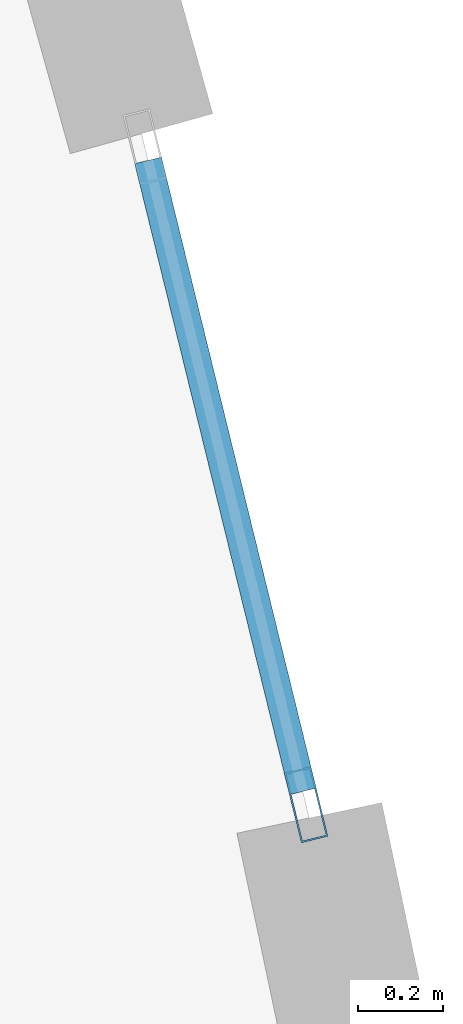
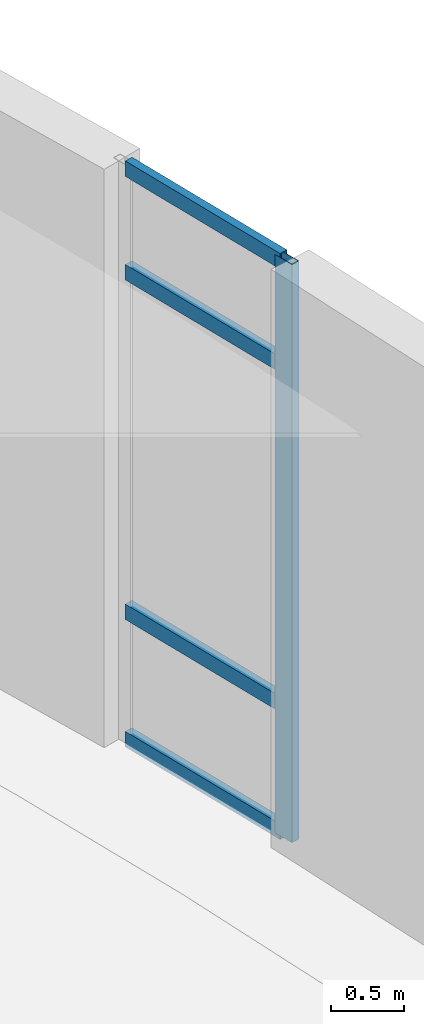
# One storey, part 50 of 104: 5 members, 1 element without a shape of its own.
"""IFC4 building model written with IfcOpenShell, lengths in metres."""

import ifcopenshell
import ifcopenshell.guid

model = None  # the IFC model being written
_history = None  # IfcOwnerHistory: only IFC2X3 demands one
_inside = {}  # id of a spatial element -> (the spatial element, [elements in it])
_under = {}  # id of a project, library or spatial element -> (it, [spatial elements below it])
_declared = {}  # id of a project -> (the project, [libraries it declares])
_typed = {}  # id of a type object -> (the type object, [elements of that type])
_made_of = {}  # id of a material, layer set ... -> (it, [elements and type objects made of it])


def new_model(schema):
    """Start an empty IFC model of exactly this schema.

    Asked for "IFC4X3", IfcOpenShell would pick the latest addendum, in which some entities
    have other attributes; the version numbers below select the first issue.
    IFC2X3 requires an IfcOwnerHistory on every rooted entity: one is made here for all.
    """
    global model, _history
    if schema == "IFC4X3":
        model = ifcopenshell.file(schema_version=(4, 3, 0, 0))
    else:
        model = ifcopenshell.file(schema=schema)
    _inside.clear()
    _under.clear()
    _declared.clear()
    _typed.clear()
    _made_of.clear()
    _history = None
    if model.schema == "IFC2X3":
        org = make("IfcOrganization", Name="unknown")
        user = make(
            "IfcPersonAndOrganization",
            ThePerson=make("IfcPerson", FamilyName="unknown"),
            TheOrganization=org,
        )
        app = make(
            "IfcApplication",
            ApplicationDeveloper=org,
            Version="unknown",
            ApplicationFullName="unknown",
            ApplicationIdentifier="unknown",
        )
        _history = make(
            "IfcOwnerHistory",
            OwningUser=user,
            OwningApplication=app,
            ChangeAction="ADDED",
            CreationDate=0,
        )
    return model


def make(cls, **values):
    """One entity of the class cls with the attributes given. An attribute that is None is left unset."""
    return model.create_entity(
        cls, **{name: value for name, value in values.items() if value is not None}
    )


def rooted(cls, **values):
    """An entity with a GlobalId (a new one), such as an element, a storey or a relation."""
    return make(cls, GlobalId=ifcopenshell.guid.new(), OwnerHistory=_history, **values)


def si_unit(unit_type, name, prefix=None):
    """IfcSIUnit, for example si_unit("LENGTHUNIT", "METRE", prefix="MILLI")."""
    return make("IfcSIUnit", UnitType=unit_type, Prefix=prefix, Name=name)


def assignment(units):
    """IfcUnitAssignment: the units of a project."""
    return None if units is None else make("IfcUnitAssignment", Units=units)


def point(xyz):
    """IfcCartesianPoint."""
    return None if xyz is None else make("IfcCartesianPoint", Coordinates=xyz)


def direction(xyz):
    """IfcDirection."""
    return None if xyz is None else make("IfcDirection", DirectionRatios=xyz)


def frame(location, z_axis=None, x_axis=None):
    """IfcAxis2Placement3D, a coordinate frame: its origin and axes. An axis left out is left unset."""
    return make(
        "IfcAxis2Placement3D",
        Location=point(location),
        Axis=direction(z_axis),
        RefDirection=direction(x_axis),
    )


def frame_2d(location, x_axis=None):
    """IfcAxis2Placement2D, a coordinate frame in the plane: its origin and x axis."""
    return make(
        "IfcAxis2Placement2D", Location=point(location), RefDirection=direction(x_axis)
    )


def origin():
    """The frame at (0, 0, 0) with its axes left unset."""
    return frame((0.0, 0.0, 0.0))


def origin_2d():
    """The frame at (0, 0) in the plane with its x axis left unset."""
    return frame_2d((0.0, 0.0))


def place(relative_to, where):
    """IfcLocalPlacement: puts the frame where relative to a parent placement (None: the world)."""
    return make(
        "IfcLocalPlacement", PlacementRelTo=relative_to, RelativePlacement=where
    )


def context(
    kind, dimensions, precision=None, world=None, true_north=None, identifier=None
):
    """IfcGeometricRepresentationContext, for example the 3D "Model" context."""
    return make(
        "IfcGeometricRepresentationContext",
        ContextIdentifier=identifier,
        ContextType=kind,
        CoordinateSpaceDimension=dimensions,
        Precision=precision,
        WorldCoordinateSystem=world,
        TrueNorth=true_north,
    )


def subcontext(parent, identifier, kind, view, scale=None):
    """IfcGeometricRepresentationSubContext, for example "Body" below "Model"."""
    return make(
        "IfcGeometricRepresentationSubContext",
        ContextIdentifier=identifier,
        ContextType=kind,
        ParentContext=parent,
        TargetScale=scale,
        TargetView=view,
    )


def project(units=None, contexts=None):
    """IfcProject with its units and contexts."""
    return rooted(
        "IfcProject",
        Name="project",
        RepresentationContexts=contexts,
        UnitsInContext=assignment(units),
    )


def spatial(cls, under=None, at=None, **own):
    """A site, building, storey or space (cls), placed at a placement, below another one or the project."""
    s = rooted(cls, ObjectPlacement=at, **own)
    if under is not None:
        _under.setdefault(under.id(), (under, []))[1].append(s)
    return s


def profile(cls, at=None, kind="AREA", **sizes):
    """A parametric profile (cls). Its sizes go by their IFC names, for example OverallWidth=200.0."""
    return make(cls, ProfileType=kind, Position=at, **sizes)


def hollow_rectangle(**sizes):
    """IfcRectangleHollowProfileDef."""
    return profile("IfcRectangleHollowProfileDef", **sizes)


def extrude(swept, where, along, depth):
    """IfcExtrudedAreaSolid: the profile swept, set in the frame where, extruded along a direction by depth."""
    return make(
        "IfcExtrudedAreaSolid",
        SweptArea=swept,
        Position=where,
        ExtrudedDirection=direction(along),
        Depth=depth,
    )


def shape(context_of_items, identifier, shape_type, items):
    """IfcShapeRepresentation: the items that make up one representation, for example the "Body"."""
    return make(
        "IfcShapeRepresentation",
        ContextOfItems=context_of_items,
        RepresentationIdentifier=identifier,
        RepresentationType=shape_type,
        Items=items,
    )


def material(Name=None, Category=None):
    """IfcMaterial."""
    return make("IfcMaterial", Name=Name, Category=Category)


def layer(
    of_material, thickness, ventilated=None, Name=None, Category=None, Priority=None
):
    """IfcMaterialLayer: one layer of a wall or slab, of a material (None: an air gap)."""
    return make(
        "IfcMaterialLayer",
        Material=of_material,
        LayerThickness=thickness,
        IsVentilated=ventilated,
        Name=Name,
        Category=Category,
        Priority=Priority,
    )


def layer_set(layers, Name=None):
    """IfcMaterialLayerSet."""
    return make("IfcMaterialLayerSet", MaterialLayers=layers, LayerSetName=Name)


def material_profile(
    of_material, cross_section, Name=None, Category=None, Priority=None
):
    """IfcMaterialProfile: a cross section and its material."""
    return make(
        "IfcMaterialProfile",
        Name=Name,
        Material=of_material,
        Profile=cross_section,
        Priority=Priority,
        Category=Category,
    )


def profile_set(profiles, Name=None, composite=None):
    """IfcMaterialProfileSet."""
    return make(
        "IfcMaterialProfileSet",
        Name=Name,
        MaterialProfiles=profiles,
        CompositeProfile=composite,
    )


def made_of(thing, what):
    """Note that an element or type object is made of a material, layer set ...; save() writes the relation."""
    if what is not None:
        _made_of.setdefault(what.id(), (what, []))[1].append(thing)
    return thing


def type_object(cls, material=None, **own):
    """A type object (cls), such as IfcWallType, which elements share."""
    return made_of(rooted(cls, **own), material)


def element(
    cls,
    number,
    at=None,
    inside=None,
    cuts=None,
    type_object=None,
    material=None,
    context=None,
    identifier="Body",
    shape_type=None,
    held_by="IfcProductDefinitionShape",
    body=None,
    shapes=None,
    **own,
):
    """One element of the class cls, such as IfcWall. Its Tag is "e" and its number.

    at: its placement. inside: the storey or other place that contains it. cuts: it is an
    opening in that element (IfcRelVoidsElement). A single representation is given by context,
    identifier, shape_type and body (its items); several are given by shapes. held_by: the class
    of the entity that holds the representations. save() writes the other relations.
    """
    e = rooted(cls, Tag="e%d" % number, ObjectPlacement=at, **own)
    if body is not None:
        shapes = [shape(context, identifier, shape_type, body)]
    if shapes is not None:
        e.Representation = make(held_by, Representations=shapes)
    if inside is not None:
        _inside.setdefault(inside.id(), (inside, []))[1].append(e)
    if cuts is not None:
        rooted(
            "IfcRelVoidsElement", RelatingBuildingElement=cuts, RelatedOpeningElement=e
        )
    if type_object is not None:
        _typed.setdefault(type_object.id(), (type_object, []))[1].append(e)
    return made_of(e, material)


def aggregate(whole, parts):
    """IfcRelAggregates: a whole, such as a stair, and the parts it consists of."""
    return rooted("IfcRelAggregates", RelatingObject=whole, RelatedObjects=parts)


def save(model, path):
    """Write the relations noted so far, then the file.

    IfcRelAggregates (storeys below a building ...), IfcRelContainedInSpatialStructure (elements
    in a storey), IfcRelDefinesByType, IfcRelAssociatesMaterial and IfcRelDeclares: one each for
    every whole, place, type object, material and project.
    """
    for whole, parts in _under.values():
        aggregate(whole, parts)
    for where, things in _inside.values():
        rooted(
            "IfcRelContainedInSpatialStructure",
            RelatedElements=things,
            RelatingStructure=where,
        )
    for kind, things in _typed.values():
        rooted("IfcRelDefinesByType", RelatedObjects=things, RelatingType=kind)
    for what, things in _made_of.values():
        rooted("IfcRelAssociatesMaterial", RelatedObjects=things, RelatingMaterial=what)
    for by, libraries in _declared.values():
        rooted("IfcRelDeclares", RelatingContext=by, RelatedDefinitions=libraries)
    model.write(path)


model = new_model("IFC4")

# Units and contexts
model_context = context("Model", 3, precision=1e-05, world=origin(), true_north=direction((0.0, 1.0)))
body_context = subcontext(model_context, "Body", "Model", "MODEL_VIEW")
ifc_project = project(units=[si_unit("LENGTHUNIT", "METRE"), si_unit("AREAUNIT", "SQUARE_METRE"), si_unit("VOLUMEUNIT", "CUBIC_METRE"), si_unit("PLANEANGLEUNIT", "RADIAN"), si_unit("MASSUNIT", "GRAM", prefix="KILO"), si_unit("THERMODYNAMICTEMPERATUREUNIT", "KELVIN")], contexts=[model_context])

# Site, building, storey
site_placement = place(None, origin())
site = spatial("IfcSite", under=ifc_project, at=site_placement, CompositionType="ELEMENT")
building_placement = place(site_placement, origin())
building = spatial("IfcBuilding", under=site, at=building_placement, Name="Lustrewick Department Store", CompositionType="ELEMENT")
storey_placement = place(building_placement, frame((0.0, 0.0, 11.39990234375)))
storey = spatial("IfcBuildingStorey", under=building, at=storey_placement, Name="L03", CompositionType="ELEMENT", Elevation=11.39990234375)

# Curtain wall, members
ifc_material = material(Name="Thermally broken aluminium 6063-T5", Category="aluminium")
ifc_layer = layer(ifc_material, 0.169921875, Name="Thermally broken aluminium 6063-T5")
ifc_layer_set = layer_set([ifc_layer], Name="Thermally broken aluminium 6063-T5")
curtain_wall_type = type_object("IfcCurtainWallType", Name="CW12", PredefinedType="NOTDEFINED", material=ifc_layer_set)
curtain_wall_placement = place(storey_placement, origin())
curtain_wall = element("IfcCurtainWall", 1, at=curtain_wall_placement, inside=storey, type_object=curtain_wall_type, Name="L03 V4 Curtain Wall CW12", PredefinedType="NOTDEFINED")
ifc_material_profile_1 = material_profile(ifc_material, hollow_rectangle(XDim=0.06494140625, YDim=0.169921875, WallThickness=0.00390625, at=origin_2d()), Name="ALU-M 65x170x4")
ifc_profile_set_1 = profile_set([ifc_material_profile_1], Name="Thermally broken aluminium 6063-T5")
member_type_1 = type_object("IfcMemberType", Name="CW12-M1", PredefinedType="MULLION", material=ifc_profile_set_1)
member_1_placement = place(storey_placement, frame((166.6884765625, 71.20263671875, 0.0), z_axis=(0.0, 0.0, 1.0), x_axis=(-0.971223151595, -0.238171345478, 0.0)))
member_1 = element("IfcMember", 2, at=member_1_placement, type_object=member_type_1, Name="CW12 mullion 1", PredefinedType="MULLION", context=body_context, shape_type="SweptSolid", body=[
    extrude(hollow_rectangle(XDim=0.06494140625, YDim=0.169921875, WallThickness=0.00390625, at=origin_2d()), origin(), (0.0, 0.0, 1.0), 4.84521484375),
])
ifc_material_profile_2 = material_profile(ifc_material, hollow_rectangle(XDim=0.06494140625, YDim=0.1298828125, WallThickness=0.00341796875, at=origin_2d()), Name="ALU-T 65x130x3.5")
ifc_profile_set_2 = profile_set([ifc_material_profile_2], Name="Thermally broken aluminium 6063-T5")
member_type_2 = type_object("IfcMemberType", Name="CW12-T1", PredefinedType="USERDEFINED", material=ifc_profile_set_2)
member_2_placement = place(storey_placement, frame((166.680908203125, 71.234130859375, 0.03271484375), z_axis=(-0.238272414393, 0.971198361067, 0.0), x_axis=(-0.971198361067, -0.238272414393, 0.0)))
member_2 = element("IfcMember", 3, at=member_2_placement, type_object=member_type_2, Name="CW12 transom 1.1", ObjectType="TRANSOM", PredefinedType="USERDEFINED", context=body_context, shape_type="SweptSolid", body=[
    extrude(hollow_rectangle(XDim=0.06494140625, YDim=0.1298828125, WallThickness=0.00341796875, at=origin_2d()), origin(), (0.0, 0.0, 1.0), 1.536865234375),
])
member_3_placement = place(storey_placement, frame((166.680908203125, 71.234130859375, 1.10009765625), z_axis=(-0.238272414393, 0.971198361067, 0.0), x_axis=(-0.971198361067, -0.238272414393, 0.0)))
member_3 = element("IfcMember", 4, at=member_3_placement, type_object=member_type_2, Name="CW12 transom 1.2", ObjectType="TRANSOM", PredefinedType="USERDEFINED", context=body_context, shape_type="SweptSolid", body=[
    extrude(hollow_rectangle(XDim=0.06494140625, YDim=0.1298828125, WallThickness=0.00341796875, at=origin_2d()), origin(), (0.0, 0.0, 1.0), 1.536865234375),
])
member_4_placement = place(storey_placement, frame((166.680908203125, 71.234130859375, 3.945068359375), z_axis=(-0.238272414393, 0.971198361067, 0.0), x_axis=(-0.971198361067, -0.238272414393, 0.0)))
member_4 = element("IfcMember", 5, at=member_4_placement, type_object=member_type_2, Name="CW12 transom 1.3", ObjectType="TRANSOM", PredefinedType="USERDEFINED", context=body_context, shape_type="SweptSolid", body=[
    extrude(hollow_rectangle(XDim=0.06494140625, YDim=0.1298828125, WallThickness=0.00341796875, at=origin_2d()), origin(), (0.0, 0.0, 1.0), 1.536865234375),
])
member_5_placement = place(storey_placement, frame((166.680908203125, 71.234130859375, 4.8125), z_axis=(-0.238272414393, 0.971198361067, 0.0), x_axis=(-0.971198361067, -0.238272414393, 0.0)))
member_5 = element("IfcMember", 6, at=member_5_placement, type_object=member_type_2, Name="CW12 transom 1.4", ObjectType="TRANSOM", PredefinedType="USERDEFINED", context=body_context, shape_type="SweptSolid", body=[
    extrude(hollow_rectangle(XDim=0.06494140625, YDim=0.1298828125, WallThickness=0.00341796875, at=origin_2d()), origin(), (0.0, 0.0, 1.0), 1.536865234375),
])
aggregate(curtain_wall, [member_1, member_2, member_3, member_4, member_5])

save(model, "model.ifc")
